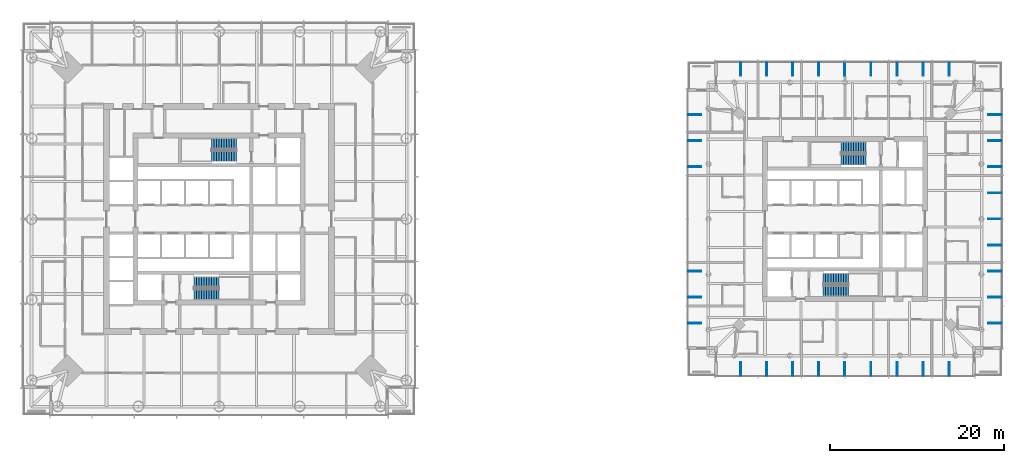
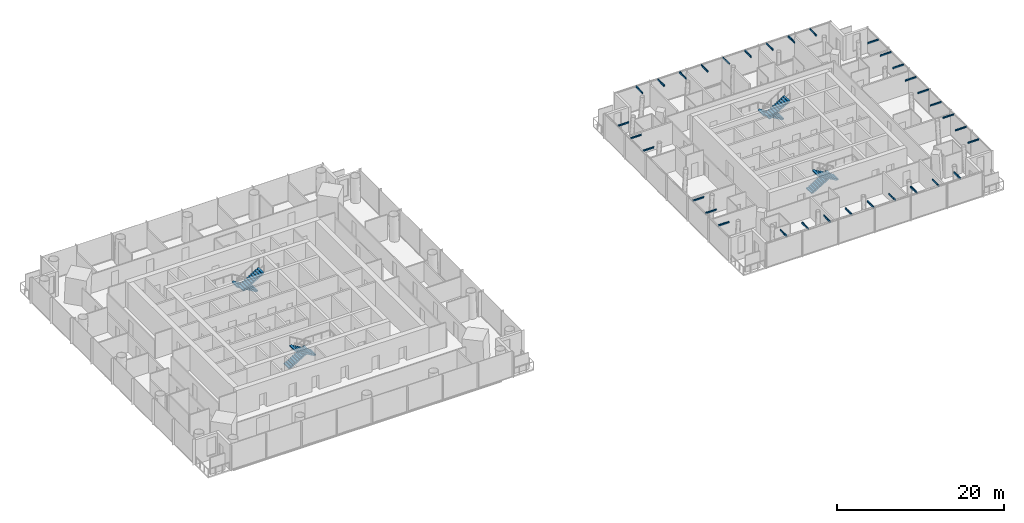
# One storey, part 16 of 18: 33 discrete accessories, 8 stair flights, 4 elements without a shape of their own.
"""IFC4 building model written with IfcOpenShell, lengths in metres."""

from ifc_helpers import new_model, si_unit, direction, frame, origin, origin_2d, place, context, subcontext, project, spatial, polyline, rectangle, outline, extrude, material, type_object, element, aggregate, save


model = new_model("IFC4")

# Units and contexts
model_context = context("Model", 3, precision=1e-05, world=origin(), true_north=direction((0.0, 1.0)))
body_context = subcontext(model_context, "Body", "Model", "MODEL_VIEW")
ifc_project = project(units=[si_unit("LENGTHUNIT", "METRE"), si_unit("AREAUNIT", "SQUARE_METRE"), si_unit("VOLUMEUNIT", "CUBIC_METRE"), si_unit("PLANEANGLEUNIT", "RADIAN"), si_unit("MASSUNIT", "GRAM", prefix="KILO")], contexts=[model_context])

# Site, building, storey
site_placement = place(None, origin())
site = spatial("IfcSite", under=ifc_project, at=site_placement, CompositionType="ELEMENT")
building_placement = place(site_placement, origin())
building = spatial("IfcBuilding", under=site, at=building_placement, Name="Ostroluk Exchange", CompositionType="ELEMENT")
storey_placement = place(building_placement, frame((0.0, 0.0, 97.0)))
storey = spatial("IfcBuildingStorey", under=building, at=storey_placement, Name="L24", CompositionType="ELEMENT", Elevation=97.0)

# Stair, stair flights
ifc_material_1 = material(Name="Concrete C30/37", Category="concrete")
stair_type = type_object("IfcStairType", Name="Exit stair half turn 3800", PredefinedType="HALF_TURN_STAIR", material=ifc_material_1)
stair_1_placement = place(storey_placement, origin())
stair_1 = element("IfcStair", 1, at=stair_1_placement, inside=storey, type_object=stair_type, Name="Stair T1-S1 L24", PredefinedType="HALF_TURN_STAIR")
ifc_material_2 = material(Name="Concrete C30/37", Category="concrete")
stair_flight_type = type_object("IfcStairFlightType", Name="Stair flight 11 risers 172.7 x 290", PredefinedType="STRAIGHT", material=ifc_material_2)
stair_flight_1_placement = place(storey_placement, frame((42.10009765625, 38.77490234375, 0.0), z_axis=(0.0, 0.0, 1.0), x_axis=(1.0, 0.0, 0.0)))
stair_flight_1 = element("IfcStairFlight", 2, at=stair_flight_1_placement, type_object=stair_flight_type, Name="T1-S1 flight 1", NumberOfRisers=11, NumberOfTreads=10, PredefinedType="STRAIGHT", RiserHeight=0.172727273, TreadLength=0.29, context=body_context, shape_type="SweptSolid", body=[
    extrude(outline(polyline([(0.0, 0.0), (0.0, 0.172607421875), (0.2900390625, 0.172607421875), (0.2900390625, 0.345458984375), (0.580078125, 0.345458984375), (0.580078125, 0.51806640625), (0.8701171875, 0.51806640625), (0.8701171875, 0.69091796875), (1.159912109375, 0.69091796875), (1.159912109375, 0.863525390625), (1.449951171875, 0.863525390625), (1.449951171875, 1.036376953125), (1.739990234375, 1.036376953125), (1.739990234375, 1.208984375), (2.030029296875, 1.208984375), (2.030029296875, 1.3818359375), (2.320068359375, 1.3818359375), (2.320068359375, 1.554443359375), (2.610107421875, 1.554443359375), (2.610107421875, 1.727294921875), (2.89990234375, 1.727294921875), (2.89990234375, 1.89990234375), (2.89990234375, 1.552734375), (0.29296875, 0.0), (0.0, 0.0)])), frame((0.0, 0.625, 0.0), z_axis=(0.0, -1.0, 0.0), x_axis=(1.0, 0.0, 0.0)), (0.0, 0.0, 1.0), 1.25),
])
stair_flight_2_placement = place(storey_placement, frame((45.0, 37.324951171875, 1.89990234375), z_axis=(0.0, 0.0, 1.0), x_axis=(-1.0, 0.0, 0.0)))
stair_flight_2 = element("IfcStairFlight", 3, at=stair_flight_2_placement, type_object=stair_flight_type, Name="T1-S1 flight 2", NumberOfRisers=11, NumberOfTreads=10, PredefinedType="STRAIGHT", RiserHeight=0.172727273, TreadLength=0.29, context=body_context, shape_type="SweptSolid", body=[
    extrude(outline(polyline([(0.0, 0.0), (0.0, 0.172607421875), (0.2900390625, 0.172607421875), (0.2900390625, 0.345458984375), (0.580078125, 0.345458984375), (0.580078125, 0.51806640625), (0.8701171875, 0.51806640625), (0.8701171875, 0.69091796875), (1.159912109375, 0.69091796875), (1.159912109375, 0.863525390625), (1.449951171875, 0.863525390625), (1.449951171875, 1.036376953125), (1.739990234375, 1.036376953125), (1.739990234375, 1.208984375), (2.030029296875, 1.208984375), (2.030029296875, 1.3818359375), (2.320068359375, 1.3818359375), (2.320068359375, 1.554443359375), (2.610107421875, 1.554443359375), (2.610107421875, 1.727294921875), (2.89990234375, 1.727294921875), (2.89990234375, 1.89990234375), (2.89990234375, 1.552734375), (0.29296875, 0.0), (0.0, 0.0)])), frame((0.0, 0.625, 0.0), z_axis=(0.0, -1.0, 0.0), x_axis=(1.0, 0.0, 0.0)), (0.0, 0.0, 1.0), 1.25),
])
aggregate(stair_1, [stair_flight_1, stair_flight_2])

stair_2_placement = place(storey_placement, origin())
stair_2 = element("IfcStair", 4, at=stair_2_placement, inside=storey, type_object=stair_type, Name="Stair T1-S2 L24", PredefinedType="HALF_TURN_STAIR")
stair_flight_3_placement = place(storey_placement, frame((47.030029296875, 54.675048828125, 0.0), z_axis=(0.0, 0.0, 1.0), x_axis=(-1.0, 0.0, 0.0)))
stair_flight_3 = element("IfcStairFlight", 5, at=stair_flight_3_placement, type_object=stair_flight_type, Name="T1-S2 flight 1", NumberOfRisers=11, NumberOfTreads=10, PredefinedType="STRAIGHT", RiserHeight=0.172727273, TreadLength=0.29, context=body_context, shape_type="SweptSolid", body=[
    extrude(outline(polyline([(0.0, 0.0), (0.0, 0.172607421875), (0.2900390625, 0.172607421875), (0.2900390625, 0.345458984375), (0.580078125, 0.345458984375), (0.580078125, 0.51806640625), (0.8701171875, 0.51806640625), (0.8701171875, 0.69091796875), (1.159912109375, 0.69091796875), (1.159912109375, 0.863525390625), (1.449951171875, 0.863525390625), (1.449951171875, 1.036376953125), (1.739990234375, 1.036376953125), (1.739990234375, 1.208984375), (2.030029296875, 1.208984375), (2.030029296875, 1.3818359375), (2.320068359375, 1.3818359375), (2.320068359375, 1.554443359375), (2.610107421875, 1.554443359375), (2.610107421875, 1.727294921875), (2.89990234375, 1.727294921875), (2.89990234375, 1.89990234375), (2.89990234375, 1.552734375), (0.29296875, 0.0), (0.0, 0.0)])), frame((0.0, 0.625, 0.0), z_axis=(0.0, -1.0, 0.0), x_axis=(1.0, 0.0, 0.0)), (0.0, 0.0, 1.0), 1.25),
])
stair_flight_4_placement = place(storey_placement, frame((44.1298828125, 53.22509765625, 1.89990234375), z_axis=(0.0, 0.0, 1.0), x_axis=(1.0, 0.0, 0.0)))
stair_flight_4 = element("IfcStairFlight", 6, at=stair_flight_4_placement, type_object=stair_flight_type, Name="T1-S2 flight 2", NumberOfRisers=11, NumberOfTreads=10, PredefinedType="STRAIGHT", RiserHeight=0.172727273, TreadLength=0.29, context=body_context, shape_type="SweptSolid", body=[
    extrude(outline(polyline([(0.0, 0.0), (0.0, 0.172607421875), (0.2900390625, 0.172607421875), (0.2900390625, 0.345458984375), (0.580078125, 0.345458984375), (0.580078125, 0.51806640625), (0.8701171875, 0.51806640625), (0.8701171875, 0.69091796875), (1.159912109375, 0.69091796875), (1.159912109375, 0.863525390625), (1.449951171875, 0.863525390625), (1.449951171875, 1.036376953125), (1.739990234375, 1.036376953125), (1.739990234375, 1.208984375), (2.030029296875, 1.208984375), (2.030029296875, 1.3818359375), (2.320068359375, 1.3818359375), (2.320068359375, 1.554443359375), (2.610107421875, 1.554443359375), (2.610107421875, 1.727294921875), (2.89990234375, 1.727294921875), (2.89990234375, 1.89990234375), (2.89990234375, 1.552734375), (0.29296875, 0.0), (0.0, 0.0)])), frame((0.0, 0.625, 0.0), z_axis=(0.0, -1.0, 0.0), x_axis=(1.0, 0.0, 0.0)), (0.0, 0.0, 1.0), 1.25),
])
aggregate(stair_2, [stair_flight_3, stair_flight_4])

stair_3_placement = place(storey_placement, origin())
stair_3 = element("IfcStair", 7, at=stair_3_placement, inside=storey, type_object=stair_type, Name="Stair T2-S1 L24", PredefinedType="HALF_TURN_STAIR")
stair_flight_5_placement = place(storey_placement, frame((114.5, 39.175048828125, 0.0), z_axis=(0.0, 0.0, 1.0), x_axis=(1.0, 0.0, 0.0)))
stair_flight_5 = element("IfcStairFlight", 8, at=stair_flight_5_placement, type_object=stair_flight_type, Name="T2-S1 flight 1", NumberOfRisers=11, NumberOfTreads=10, PredefinedType="STRAIGHT", RiserHeight=0.172727273, TreadLength=0.29, context=body_context, shape_type="SweptSolid", body=[
    extrude(outline(polyline([(0.0, 0.0), (0.0, 0.172607421875), (0.2900390625, 0.172607421875), (0.2900390625, 0.345458984375), (0.580078125, 0.345458984375), (0.580078125, 0.51806640625), (0.8701171875, 0.51806640625), (0.8701171875, 0.69091796875), (1.159912109375, 0.69091796875), (1.159912109375, 0.863525390625), (1.449951171875, 0.863525390625), (1.449951171875, 1.036376953125), (1.739990234375, 1.036376953125), (1.739990234375, 1.208984375), (2.030029296875, 1.208984375), (2.030029296875, 1.3818359375), (2.320068359375, 1.3818359375), (2.320068359375, 1.554443359375), (2.610107421875, 1.554443359375), (2.610107421875, 1.727294921875), (2.89990234375, 1.727294921875), (2.89990234375, 1.89990234375), (2.89990234375, 1.552734375), (0.29296875, 0.0), (0.0, 0.0)])), frame((0.0, 0.625, 0.0), z_axis=(0.0, -1.0, 0.0), x_axis=(1.0, 0.0, 0.0)), (0.0, 0.0, 1.0), 1.25),
])
stair_flight_6_placement = place(storey_placement, frame((117.39990234375, 37.72509765625, 1.89990234375), z_axis=(0.0, 0.0, 1.0), x_axis=(-1.0, 0.0, 0.0)))
stair_flight_6 = element("IfcStairFlight", 9, at=stair_flight_6_placement, type_object=stair_flight_type, Name="T2-S1 flight 2", NumberOfRisers=11, NumberOfTreads=10, PredefinedType="STRAIGHT", RiserHeight=0.172727273, TreadLength=0.29, context=body_context, shape_type="SweptSolid", body=[
    extrude(outline(polyline([(0.0, 0.0), (0.0, 0.172607421875), (0.2900390625, 0.172607421875), (0.2900390625, 0.345458984375), (0.580078125, 0.345458984375), (0.580078125, 0.51806640625), (0.8701171875, 0.51806640625), (0.8701171875, 0.69091796875), (1.159912109375, 0.69091796875), (1.159912109375, 0.863525390625), (1.449951171875, 0.863525390625), (1.449951171875, 1.036376953125), (1.739990234375, 1.036376953125), (1.739990234375, 1.208984375), (2.030029296875, 1.208984375), (2.030029296875, 1.3818359375), (2.320068359375, 1.3818359375), (2.320068359375, 1.554443359375), (2.610107421875, 1.554443359375), (2.610107421875, 1.727294921875), (2.89990234375, 1.727294921875), (2.89990234375, 1.89990234375), (2.89990234375, 1.552734375), (0.29296875, 0.0), (0.0, 0.0)])), frame((0.0, 0.625, 0.0), z_axis=(0.0, -1.0, 0.0), x_axis=(1.0, 0.0, 0.0)), (0.0, 0.0, 1.0), 1.25),
])
aggregate(stair_3, [stair_flight_5, stair_flight_6])

stair_4_placement = place(storey_placement, origin())
stair_4 = element("IfcStair", 10, at=stair_4_placement, inside=storey, type_object=stair_type, Name="Stair T2-S2 L24", PredefinedType="HALF_TURN_STAIR")
stair_flight_7_placement = place(storey_placement, frame((119.429931640625, 54.27490234375, 0.0), z_axis=(0.0, 0.0, 1.0), x_axis=(-1.0, 0.0, 0.0)))
stair_flight_7 = element("IfcStairFlight", 11, at=stair_flight_7_placement, type_object=stair_flight_type, Name="T2-S2 flight 1", NumberOfRisers=11, NumberOfTreads=10, PredefinedType="STRAIGHT", RiserHeight=0.172727273, TreadLength=0.29, context=body_context, shape_type="SweptSolid", body=[
    extrude(outline(polyline([(0.0, 0.0), (0.0, 0.172607421875), (0.2900390625, 0.172607421875), (0.2900390625, 0.345458984375), (0.580078125, 0.345458984375), (0.580078125, 0.51806640625), (0.8701171875, 0.51806640625), (0.8701171875, 0.69091796875), (1.159912109375, 0.69091796875), (1.159912109375, 0.863525390625), (1.449951171875, 0.863525390625), (1.449951171875, 1.036376953125), (1.739990234375, 1.036376953125), (1.739990234375, 1.208984375), (2.030029296875, 1.208984375), (2.030029296875, 1.3818359375), (2.320068359375, 1.3818359375), (2.320068359375, 1.554443359375), (2.610107421875, 1.554443359375), (2.610107421875, 1.727294921875), (2.89990234375, 1.727294921875), (2.89990234375, 1.89990234375), (2.89990234375, 1.552734375), (0.29296875, 0.0), (0.0, 0.0)])), frame((0.0, 0.625, 0.0), z_axis=(0.0, -1.0, 0.0), x_axis=(1.0, 0.0, 0.0)), (0.0, 0.0, 1.0), 1.25),
])
stair_flight_8_placement = place(storey_placement, frame((116.530029296875, 52.824951171875, 1.89990234375), z_axis=(0.0, 0.0, 1.0), x_axis=(1.0, 0.0, 0.0)))
stair_flight_8 = element("IfcStairFlight", 12, at=stair_flight_8_placement, type_object=stair_flight_type, Name="T2-S2 flight 2", NumberOfRisers=11, NumberOfTreads=10, PredefinedType="STRAIGHT", RiserHeight=0.172727273, TreadLength=0.29, context=body_context, shape_type="SweptSolid", body=[
    extrude(outline(polyline([(0.0, 0.0), (0.0, 0.172607421875), (0.2900390625, 0.172607421875), (0.2900390625, 0.345458984375), (0.580078125, 0.345458984375), (0.580078125, 0.51806640625), (0.8701171875, 0.51806640625), (0.8701171875, 0.69091796875), (1.159912109375, 0.69091796875), (1.159912109375, 0.863525390625), (1.449951171875, 0.863525390625), (1.449951171875, 1.036376953125), (1.739990234375, 1.036376953125), (1.739990234375, 1.208984375), (2.030029296875, 1.208984375), (2.030029296875, 1.3818359375), (2.320068359375, 1.3818359375), (2.320068359375, 1.554443359375), (2.610107421875, 1.554443359375), (2.610107421875, 1.727294921875), (2.89990234375, 1.727294921875), (2.89990234375, 1.89990234375), (2.89990234375, 1.552734375), (0.29296875, 0.0), (0.0, 0.0)])), frame((0.0, 0.625, 0.0), z_axis=(0.0, -1.0, 0.0), x_axis=(1.0, 0.0, 0.0)), (0.0, 0.0, 1.0), 1.25),
])
aggregate(stair_4, [stair_flight_7, stair_flight_8])

# Discrete accessories
ifc_material_3 = material(Name="Steel S355", Category="steel")
discrete_accessory_type = type_object("IfcDiscreteAccessoryType", Name="Maintenance roof bracket", PredefinedType="BRACKET", material=ifc_material_3)
for number, where, z_axis, x_axis, name in (
    (13, (105.0, 28.75, 3.4501953125), (0.0, 0.0, 1.0), (1.0, 0.0, 0.0), "Maintenance roof bracket L25 south 1"),
    (14, (108.0, 28.75, 3.4501953125), (0.0, 0.0, 1.0), (1.0, 0.0, 0.0), "Maintenance roof bracket L25 south 2"),
    (15, (111.0, 28.75, 3.4501953125), (0.0, 0.0, 1.0), (1.0, 0.0, 0.0), "Maintenance roof bracket L25 south 3"),
    (16, (114.0, 28.75, 3.4501953125), (0.0, 0.0, 1.0), (1.0, 0.0, 0.0), "Maintenance roof bracket L25 south 4"),
    (17, (117.0, 28.75, 3.4501953125), (0.0, 0.0, 1.0), (1.0, 0.0, 0.0), "Maintenance roof bracket L25 south 5"),
    (18, (120.0, 28.75, 3.4501953125), (0.0, 0.0, 1.0), (1.0, 0.0, 0.0), "Maintenance roof bracket L25 south 6"),
    (19, (123.0, 28.75, 3.4501953125), (0.0, 0.0, 1.0), (1.0, 0.0, 0.0), "Maintenance roof bracket L25 south 7"),
    (20, (126.0, 28.75, 3.4501953125), (0.0, 0.0, 1.0), (1.0, 0.0, 0.0), "Maintenance roof bracket L25 south 8"),
    (21, (129.0, 28.75, 3.4501953125), (0.0, 0.0, 1.0), (1.0, 0.0, 0.0), "Maintenance roof bracket L25 south 9"),
):
    element("IfcDiscreteAccessory", number, at=place(storey_placement, frame(where, z_axis=z_axis, x_axis=x_axis)), inside=storey, type_object=discrete_accessory_type, Name=name, PredefinedType="BRACKET", context=body_context, shape_type="SweptSolid", body=[
        extrude(rectangle(XDim=0.10009765625, YDim=1.5, at=origin_2d()), origin(), (0.0, 0.0, 1.0), 0.199951171875),
    ])
for number, where, z_axis, x_axis, name in (
    (22, (134.25, 34.0, 3.4501953125), (0.0, 0.0, 1.0), (1.0, 0.0, 0.0), "Maintenance roof bracket L25 east 1"),
    (23, (134.25, 37.0, 3.4501953125), (0.0, 0.0, 1.0), (1.0, 0.0, 0.0), "Maintenance roof bracket L25 east 2"),
    (24, (134.25, 40.0, 3.4501953125), (0.0, 0.0, 1.0), (1.0, 0.0, 0.0), "Maintenance roof bracket L25 east 3"),
    (25, (134.25, 43.0, 3.4501953125), (0.0, 0.0, 1.0), (1.0, 0.0, 0.0), "Maintenance roof bracket L25 east 4"),
    (26, (134.25, 46.0, 3.4501953125), (0.0, 0.0, 1.0), (1.0, 0.0, 0.0), "Maintenance roof bracket L25 east 5"),
    (27, (134.25, 49.0, 3.4501953125), (0.0, 0.0, 1.0), (1.0, 0.0, 0.0), "Maintenance roof bracket L25 east 6"),
    (28, (134.25, 52.0, 3.4501953125), (0.0, 0.0, 1.0), (1.0, 0.0, 0.0), "Maintenance roof bracket L25 east 7"),
    (29, (134.25, 55.0, 3.4501953125), (0.0, 0.0, 1.0), (1.0, 0.0, 0.0), "Maintenance roof bracket L25 east 8"),
    (30, (134.25, 58.0, 3.4501953125), (0.0, 0.0, 1.0), (1.0, 0.0, 0.0), "Maintenance roof bracket L25 east 9"),
):
    element("IfcDiscreteAccessory", number, at=place(storey_placement, frame(where, z_axis=z_axis, x_axis=x_axis)), inside=storey, type_object=discrete_accessory_type, Name=name, PredefinedType="BRACKET", context=body_context, shape_type="SweptSolid", body=[
        extrude(rectangle(XDim=1.5, YDim=0.10009765625, at=origin_2d()), origin(), (0.0, 0.0, 1.0), 0.199951171875),
    ])
for number, where, z_axis, x_axis, name in (
    (31, (105.0, 63.25, 3.4501953125), (0.0, 0.0, 1.0), (1.0, 0.0, 0.0), "Maintenance roof bracket L25 north 1"),
    (32, (108.0, 63.25, 3.4501953125), (0.0, 0.0, 1.0), (1.0, 0.0, 0.0), "Maintenance roof bracket L25 north 2"),
    (33, (111.0, 63.25, 3.4501953125), (0.0, 0.0, 1.0), (1.0, 0.0, 0.0), "Maintenance roof bracket L25 north 3"),
    (34, (114.0, 63.25, 3.4501953125), (0.0, 0.0, 1.0), (1.0, 0.0, 0.0), "Maintenance roof bracket L25 north 4"),
    (35, (117.0, 63.25, 3.4501953125), (0.0, 0.0, 1.0), (1.0, 0.0, 0.0), "Maintenance roof bracket L25 north 5"),
    (36, (120.0, 63.25, 3.4501953125), (0.0, 0.0, 1.0), (1.0, 0.0, 0.0), "Maintenance roof bracket L25 north 6"),
    (37, (123.0, 63.25, 3.4501953125), (0.0, 0.0, 1.0), (1.0, 0.0, 0.0), "Maintenance roof bracket L25 north 7"),
    (38, (126.0, 63.25, 3.4501953125), (0.0, 0.0, 1.0), (1.0, 0.0, 0.0), "Maintenance roof bracket L25 north 8"),
    (39, (129.0, 63.25, 3.4501953125), (0.0, 0.0, 1.0), (1.0, 0.0, 0.0), "Maintenance roof bracket L25 north 9"),
):
    element("IfcDiscreteAccessory", number, at=place(storey_placement, frame(where, z_axis=z_axis, x_axis=x_axis)), inside=storey, type_object=discrete_accessory_type, Name=name, PredefinedType="BRACKET", context=body_context, shape_type="SweptSolid", body=[
        extrude(rectangle(XDim=0.10009765625, YDim=1.5, at=origin_2d()), origin(), (0.0, 0.0, 1.0), 0.199951171875),
    ])
for number, where, z_axis, x_axis, name in (
    (40, (99.75, 34.0, 3.4501953125), (0.0, 0.0, 1.0), (1.0, 0.0, 0.0), "Maintenance roof bracket L25 west 1"),
    (41, (99.75, 37.0, 3.4501953125), (0.0, 0.0, 1.0), (1.0, 0.0, 0.0), "Maintenance roof bracket L25 west 2"),
    (42, (99.75, 40.0, 3.4501953125), (0.0, 0.0, 1.0), (1.0, 0.0, 0.0), "Maintenance roof bracket L25 west 3"),
    (43, (99.75, 52.0, 3.4501953125), (0.0, 0.0, 1.0), (1.0, 0.0, 0.0), "Maintenance roof bracket L25 west 7"),
    (44, (99.75, 55.0, 3.4501953125), (0.0, 0.0, 1.0), (1.0, 0.0, 0.0), "Maintenance roof bracket L25 west 8"),
    (45, (99.75, 58.0, 3.4501953125), (0.0, 0.0, 1.0), (1.0, 0.0, 0.0), "Maintenance roof bracket L25 west 9"),
):
    element("IfcDiscreteAccessory", number, at=place(storey_placement, frame(where, z_axis=z_axis, x_axis=x_axis)), inside=storey, type_object=discrete_accessory_type, Name=name, PredefinedType="BRACKET", context=body_context, shape_type="SweptSolid", body=[
        extrude(rectangle(XDim=1.5, YDim=0.10009765625, at=origin_2d()), origin(), (0.0, 0.0, 1.0), 0.199951171875),
    ])

save(model, "model.ifc")
